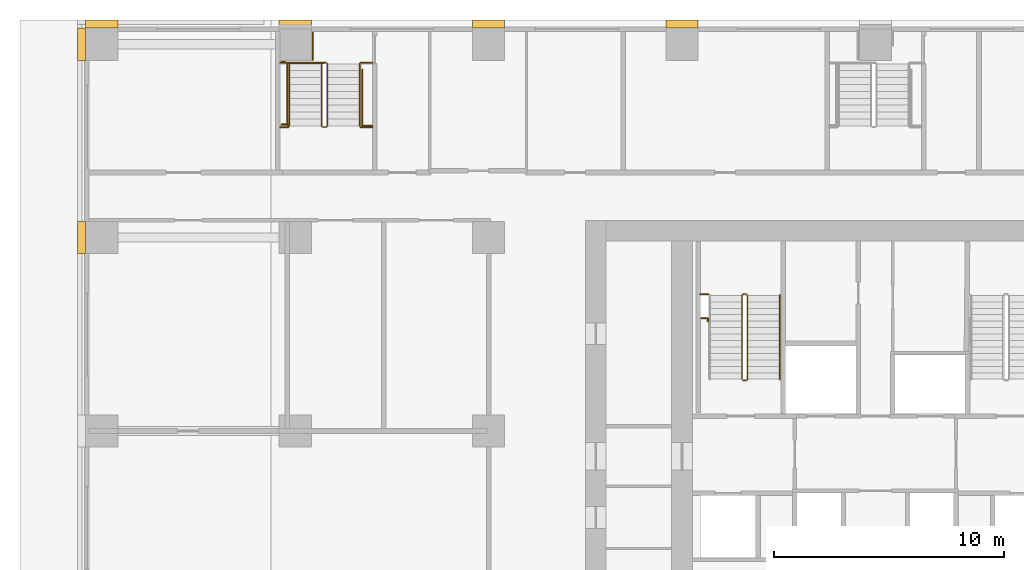
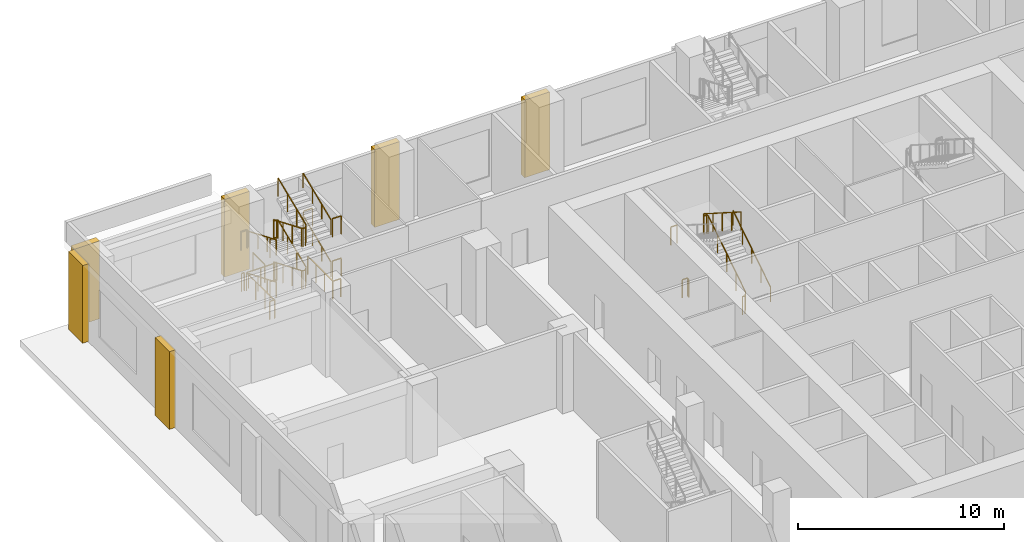
# One storey, part 24 of 29: 19 railings, 6 coverings.
"""IFC4 building model written with IfcOpenShell, lengths in metres."""

from ifc_helpers import new_model, si_unit, direction, frame, origin, origin_2d, place, context, subcontext, project, spatial, polyline, rectangle, outline, extrude, material, type_object, element, save


model = new_model("IFC4")

# Units and contexts
model_context = context("Model", 3, precision=1e-05, world=origin(), true_north=direction((0.0, 1.0)))
body_context = subcontext(model_context, "Body", "Model", "MODEL_VIEW")
ifc_project = project(units=[si_unit("LENGTHUNIT", "METRE"), si_unit("AREAUNIT", "SQUARE_METRE"), si_unit("VOLUMEUNIT", "CUBIC_METRE"), si_unit("PLANEANGLEUNIT", "RADIAN"), si_unit("MASSUNIT", "GRAM", prefix="KILO")], contexts=[model_context])

# Site, building, storey
site_placement = place(None, origin())
site = spatial("IfcSite", under=ifc_project, at=site_placement, CompositionType="ELEMENT")
building_placement = place(site_placement, origin())
building = spatial("IfcBuilding", under=site, at=building_placement, Name="Vermilion Ogive Tower", CompositionType="ELEMENT")
storey_placement = place(building_placement, frame((0.0, 0.0, 7.5)))
storey = spatial("IfcBuildingStorey", under=building, at=storey_placement, Name="L01", CompositionType="ELEMENT", Elevation=7.5)

# Railings
ifc_material_1 = material(Name="Steel S355 painted", Category="steel")
railing_type_1 = type_object("IfcRailingType", Name="Stair guard 1100", PredefinedType="GUARDRAIL", material=ifc_material_1)
railing_1_placement = place(storey_placement, frame((-5.75, 14.800048828125, 0.0)))
element("IfcRailing", 1, at=railing_1_placement, inside=storey, type_object=railing_type_1, Name="L01 ST1 stair guard 4", PredefinedType="GUARDRAIL", context=body_context, shape_type="SweptSolid", body=[
    extrude(rectangle(XDim=0.048095703125, YDim=0.048095703125, at=origin_2d()), frame((0.0, 0.0, 1.076171875), z_axis=(1.0, 0.0, 0.0), x_axis=(0.0, 1.0, 0.0)), (0.0, 0.0, 1.0), 0.14990234375),
    extrude(rectangle(XDim=0.048095703125, YDim=0.048095703125, at=origin_2d()), frame((0.14990234375, 0.0, 1.076171875), z_axis=(0.260684529273, 0.260684529273, 0.929562882432), x_axis=(-0.707106781187, 0.707106781187, 0.0)), (0.0, 0.0, 1.0), 0.19189453125),
    extrude(rectangle(XDim=0.048095703125, YDim=0.048095703125, at=origin_2d()), frame((0.199951171875, 0.050048828125, 1.25439453125), z_axis=(0.0, 0.843111507901, 0.53773877045), x_axis=(-1.0, 0.0, 0.0)), (0.0, 0.0, 1.0), 4.317138671875),
    extrude(rectangle(XDim=0.048095703125, YDim=0.048095703125, at=origin_2d()), frame((0.199951171875, 3.68994140625, 3.576171875), z_axis=(-0.707106781187, 0.707106781187, 0.0), x_axis=(-0.707106781187, -0.707106781187, 0.0)), (0.0, 0.0, 1.0), 0.07080078125),
    extrude(rectangle(XDim=0.048095703125, YDim=0.048095703125, at=origin_2d()), frame((0.14990234375, 3.739990234375, 3.576171875), z_axis=(-1.0, 0.0, 0.0), x_axis=(0.0, -1.0, 0.0)), (0.0, 0.0, 1.0), 0.14990234375),
    extrude(rectangle(XDim=0.048095703125, YDim=0.048095703125, at=origin_2d()), frame((0.0, 3.739990234375, 3.576171875), z_axis=(-0.260684529273, -0.260684529273, 0.929562882432), x_axis=(0.707106781187, -0.707106781187, 0.0)), (0.0, 0.0, 1.0), 0.19189453125),
    extrude(rectangle(XDim=0.048095703125, YDim=0.048095703125, at=origin_2d()), frame((-0.050048828125, 3.68994140625, 3.75439453125), z_axis=(0.0, -0.843111507901, 0.53773877045), x_axis=(1.0, 0.0, 0.0)), (0.0, 0.0, 1.0), 4.317138671875),
    extrude(rectangle(XDim=0.0419921875, YDim=0.0419921875, at=origin_2d()), origin(), (0.0, 0.0, 1.0), 1.052001953125),
    extrude(rectangle(XDim=0.0419921875, YDim=0.0419921875, at=origin_2d()), frame((0.14990234375, 0.0, 0.0)), (0.0, 0.0, 1.0), 1.052001953125),
    extrude(rectangle(XDim=0.0419921875, YDim=0.0419921875, at=origin_2d()), frame((0.199951171875, 0.050048828125, 0.178466796875)), (0.0, 0.0, 1.0), 1.052001953125),
    extrude(rectangle(XDim=0.0419921875, YDim=0.0419921875, at=origin_2d()), frame((0.199951171875, 0.9599609375, 0.7587890625)), (0.0, 0.0, 1.0), 1.052001953125),
    extrude(rectangle(XDim=0.0419921875, YDim=0.0419921875, at=origin_2d()), frame((0.199951171875, 1.8701171875, 1.33935546875)), (0.0, 0.0, 1.0), 1.052001953125),
    extrude(rectangle(XDim=0.0419921875, YDim=0.0419921875, at=origin_2d()), frame((0.199951171875, 2.780029296875, 1.919677734375)), (0.0, 0.0, 1.0), 1.052001953125),
    extrude(rectangle(XDim=0.0419921875, YDim=0.0419921875, at=origin_2d()), frame((0.199951171875, 3.68994140625, 2.5)), (0.0, 0.0, 1.0), 1.052001953125),
    extrude(rectangle(XDim=0.0419921875, YDim=0.0419921875, at=origin_2d()), frame((0.14990234375, 3.739990234375, 2.5)), (0.0, 0.0, 1.0), 1.052001953125),
    extrude(rectangle(XDim=0.0419921875, YDim=0.0419921875, at=origin_2d()), frame((0.0, 3.739990234375, 2.5)), (0.0, 0.0, 1.0), 1.052001953125),
    extrude(rectangle(XDim=0.0419921875, YDim=0.0419921875, at=origin_2d()), frame((-0.050048828125, 3.68994140625, 2.678466796875)), (0.0, 0.0, 1.0), 1.052001953125),
    extrude(rectangle(XDim=0.0419921875, YDim=0.0419921875, at=origin_2d()), frame((-0.050048828125, 2.780029296875, 3.2587890625)), (0.0, 0.0, 1.0), 1.052001953125),
    extrude(rectangle(XDim=0.0419921875, YDim=0.0419921875, at=origin_2d()), frame((-0.050048828125, 1.8701171875, 3.83935546875)), (0.0, 0.0, 1.0), 1.052001953125),
    extrude(rectangle(XDim=0.0419921875, YDim=0.0419921875, at=origin_2d()), frame((-0.050048828125, 0.9599609375, 4.419677734375)), (0.0, 0.0, 1.0), 1.052001953125),
    extrude(rectangle(XDim=0.0419921875, YDim=0.0419921875, at=origin_2d()), frame((-0.050048828125, 0.050048828125, 5.0)), (0.0, 0.0, 1.0), 1.052001953125),
])
railing_2_placement = place(storey_placement, frame((-23.85009765625, 28.60009765625, 0.0)))
element("IfcRailing", 2, at=railing_2_placement, inside=storey, type_object=railing_type_1, Name="L01 PS1 stair guard 8", PredefinedType="GUARDRAIL", context=body_context, shape_type="SweptSolid", body=[
    extrude(rectangle(XDim=0.048095703125, YDim=0.048095703125, at=origin_2d()), frame((0.0, 0.0, 1.076171875), z_axis=(-1.0, 0.0, 0.0), x_axis=(0.0, -1.0, 0.0)), (0.0, 0.0, 1.0), 0.14990234375),
    extrude(rectangle(XDim=0.048095703125, YDim=0.048095703125, at=origin_2d()), frame((-0.14990234375, 0.0, 1.076171875), z_axis=(-0.34841279274, -0.34841279274, 0.870182194549), x_axis=(0.707106781187, -0.707106781187, 0.0)), (0.0, 0.0, 1.0), 0.1435546875),
    extrude(rectangle(XDim=0.048095703125, YDim=0.048095703125, at=origin_2d()), frame((-0.199951171875, -0.050048828125, 1.201171875), z_axis=(0.0, -0.923074453586, 0.384621311341), x_axis=(1.0, 0.0, 0.0)), (0.0, 0.0, 1.0), 2.925048828125),
    extrude(rectangle(XDim=0.048095703125, YDim=0.048095703125, at=origin_2d()), frame((-0.199951171875, -2.75, 2.326171875), z_axis=(0.707106781187, -0.707106781187, 0.0), x_axis=(0.707106781187, 0.707106781187, 0.0)), (0.0, 0.0, 1.0), 0.07080078125),
    extrude(rectangle(XDim=0.048095703125, YDim=0.048095703125, at=origin_2d()), frame((-0.14990234375, -2.800048828125, 2.326171875), z_axis=(1.0, 0.0, 0.0), x_axis=(0.0, 1.0, 0.0)), (0.0, 0.0, 1.0), 0.14990234375),
    extrude(rectangle(XDim=0.048095703125, YDim=0.048095703125, at=origin_2d()), frame((0.0, -2.800048828125, 2.326171875), z_axis=(0.34841279274, 0.34841279274, 0.870182194549), x_axis=(-0.707106781187, 0.707106781187, 0.0)), (0.0, 0.0, 1.0), 0.1435546875),
    extrude(rectangle(XDim=0.048095703125, YDim=0.048095703125, at=origin_2d()), frame((0.050048828125, -2.75, 2.451171875), z_axis=(0.0, 0.923074453586, 0.384621311341), x_axis=(-1.0, 0.0, 0.0)), (0.0, 0.0, 1.0), 2.925048828125),
    extrude(rectangle(XDim=0.048095703125, YDim=0.048095703125, at=origin_2d()), frame((0.050048828125, -0.050048828125, 3.576171875), z_axis=(-0.707106781187, 0.707106781187, 0.0), x_axis=(-0.707106781187, -0.707106781187, 0.0)), (0.0, 0.0, 1.0), 0.07080078125),
    extrude(rectangle(XDim=0.048095703125, YDim=0.048095703125, at=origin_2d()), frame((0.0, 0.0, 3.576171875), z_axis=(-1.0, 0.0, 0.0), x_axis=(0.0, -1.0, 0.0)), (0.0, 0.0, 1.0), 0.14990234375),
    extrude(rectangle(XDim=0.048095703125, YDim=0.048095703125, at=origin_2d()), frame((-0.14990234375, 0.0, 3.576171875), z_axis=(-0.34841279274, -0.34841279274, 0.870182194549), x_axis=(0.707106781187, -0.707106781187, 0.0)), (0.0, 0.0, 1.0), 0.1435546875),
    extrude(rectangle(XDim=0.048095703125, YDim=0.048095703125, at=origin_2d()), frame((-0.199951171875, -0.050048828125, 3.701171875), z_axis=(0.0, -0.923074453586, 0.384621311341), x_axis=(1.0, 0.0, 0.0)), (0.0, 0.0, 1.0), 2.925048828125),
    extrude(rectangle(XDim=0.048095703125, YDim=0.048095703125, at=origin_2d()), frame((-0.199951171875, -2.75, 4.826171875), z_axis=(0.707106781187, -0.707106781187, 0.0), x_axis=(0.707106781187, 0.707106781187, 0.0)), (0.0, 0.0, 1.0), 0.07080078125),
    extrude(rectangle(XDim=0.048095703125, YDim=0.048095703125, at=origin_2d()), frame((-0.14990234375, -2.800048828125, 4.826171875), z_axis=(1.0, 0.0, 0.0), x_axis=(0.0, 1.0, 0.0)), (0.0, 0.0, 1.0), 0.14990234375),
    extrude(rectangle(XDim=0.048095703125, YDim=0.048095703125, at=origin_2d()), frame((0.0, -2.800048828125, 4.826171875), z_axis=(0.34841279274, 0.34841279274, 0.870182194549), x_axis=(-0.707106781187, 0.707106781187, 0.0)), (0.0, 0.0, 1.0), 0.1435546875),
    extrude(rectangle(XDim=0.048095703125, YDim=0.048095703125, at=origin_2d()), frame((0.050048828125, -2.75, 4.951171875), z_axis=(0.0, 0.923074453586, 0.384621311341), x_axis=(-1.0, 0.0, 0.0)), (0.0, 0.0, 1.0), 2.925048828125),
    extrude(rectangle(XDim=0.0419921875, YDim=0.0419921875, at=origin_2d()), origin(), (0.0, 0.0, 1.0), 1.052001953125),
    extrude(rectangle(XDim=0.0419921875, YDim=0.0419921875, at=origin_2d()), frame((-0.14990234375, 0.0, 0.0)), (0.0, 0.0, 1.0), 1.052001953125),
    extrude(rectangle(XDim=0.0419921875, YDim=0.0419921875, at=origin_2d()), frame((-0.199951171875, -0.050048828125, 0.125)), (0.0, 0.0, 1.0), 1.052001953125),
    extrude(rectangle(XDim=0.0419921875, YDim=0.0419921875, at=origin_2d()), frame((-0.199951171875, -0.949951171875, 0.5)), (0.0, 0.0, 1.0), 1.052001953125),
    extrude(rectangle(XDim=0.0419921875, YDim=0.0419921875, at=origin_2d()), frame((-0.199951171875, -1.85009765625, 0.875)), (0.0, 0.0, 1.0), 1.052001953125),
    extrude(rectangle(XDim=0.0419921875, YDim=0.0419921875, at=origin_2d()), frame((-0.199951171875, -2.75, 1.25)), (0.0, 0.0, 1.0), 1.052001953125),
    extrude(rectangle(XDim=0.0419921875, YDim=0.0419921875, at=origin_2d()), frame((-0.14990234375, -2.800048828125, 1.25)), (0.0, 0.0, 1.0), 1.052001953125),
    extrude(rectangle(XDim=0.0419921875, YDim=0.0419921875, at=origin_2d()), frame((0.0, -2.800048828125, 1.25)), (0.0, 0.0, 1.0), 1.052001953125),
    extrude(rectangle(XDim=0.0419921875, YDim=0.0419921875, at=origin_2d()), frame((0.050048828125, -2.75, 1.375)), (0.0, 0.0, 1.0), 1.052001953125),
    extrude(rectangle(XDim=0.0419921875, YDim=0.0419921875, at=origin_2d()), frame((0.050048828125, -1.85009765625, 1.75)), (0.0, 0.0, 1.0), 1.052001953125),
    extrude(rectangle(XDim=0.0419921875, YDim=0.0419921875, at=origin_2d()), frame((0.050048828125, -0.949951171875, 2.125)), (0.0, 0.0, 1.0), 1.052001953125),
    extrude(rectangle(XDim=0.0419921875, YDim=0.0419921875, at=origin_2d()), frame((0.050048828125, -0.050048828125, 2.5)), (0.0, 0.0, 1.0), 1.052001953125),
    extrude(rectangle(XDim=0.0419921875, YDim=0.0419921875, at=origin_2d()), frame((0.0, 0.0, 2.5)), (0.0, 0.0, 1.0), 1.052001953125),
    extrude(rectangle(XDim=0.0419921875, YDim=0.0419921875, at=origin_2d()), frame((-0.14990234375, 0.0, 2.5)), (0.0, 0.0, 1.0), 1.052001953125),
    extrude(rectangle(XDim=0.0419921875, YDim=0.0419921875, at=origin_2d()), frame((-0.199951171875, -0.050048828125, 2.625)), (0.0, 0.0, 1.0), 1.052001953125),
    extrude(rectangle(XDim=0.0419921875, YDim=0.0419921875, at=origin_2d()), frame((-0.199951171875, -0.949951171875, 3.0)), (0.0, 0.0, 1.0), 1.052001953125),
    extrude(rectangle(XDim=0.0419921875, YDim=0.0419921875, at=origin_2d()), frame((-0.199951171875, -1.85009765625, 3.375)), (0.0, 0.0, 1.0), 1.052001953125),
    extrude(rectangle(XDim=0.0419921875, YDim=0.0419921875, at=origin_2d()), frame((-0.199951171875, -2.75, 3.75)), (0.0, 0.0, 1.0), 1.052001953125),
    extrude(rectangle(XDim=0.0419921875, YDim=0.0419921875, at=origin_2d()), frame((-0.14990234375, -2.800048828125, 3.75)), (0.0, 0.0, 1.0), 1.052001953125),
    extrude(rectangle(XDim=0.0419921875, YDim=0.0419921875, at=origin_2d()), frame((0.0, -2.800048828125, 3.75)), (0.0, 0.0, 1.0), 1.052001953125),
    extrude(rectangle(XDim=0.0419921875, YDim=0.0419921875, at=origin_2d()), frame((0.050048828125, -2.75, 3.875)), (0.0, 0.0, 1.0), 1.052001953125),
    extrude(rectangle(XDim=0.0419921875, YDim=0.0419921875, at=origin_2d()), frame((0.050048828125, -1.85009765625, 4.25)), (0.0, 0.0, 1.0), 1.052001953125),
    extrude(rectangle(XDim=0.0419921875, YDim=0.0419921875, at=origin_2d()), frame((0.050048828125, -0.949951171875, 4.625)), (0.0, 0.0, 1.0), 1.052001953125),
    extrude(rectangle(XDim=0.0419921875, YDim=0.0419921875, at=origin_2d()), frame((0.050048828125, -0.050048828125, 5.0)), (0.0, 0.0, 1.0), 1.052001953125),
])
railing_3_placement = place(storey_placement, frame((-7.60009765625, 18.5400390625, 2.5)))
element("IfcRailing", 3, at=railing_3_placement, inside=storey, type_object=railing_type_1, Name="L01 landing guard", PredefinedType="GUARDRAIL", context=body_context, shape_type="SweptSolid", body=[
    extrude(rectangle(XDim=0.048095703125, YDim=0.048095703125, at=origin_2d()), frame((0.0, 0.0, 1.076171875), z_axis=(1.0, 0.0, 0.0), x_axis=(0.0, 1.0, 0.0)), (0.0, 0.0, 1.0), 0.35009765625),
    extrude(rectangle(XDim=0.0419921875, YDim=0.0419921875, at=origin_2d()), origin(), (0.0, 0.0, 1.0), 1.052001953125),
    extrude(rectangle(XDim=0.0419921875, YDim=0.0419921875, at=origin_2d()), frame((0.35009765625, 0.0, 0.0)), (0.0, 0.0, 1.0), 1.052001953125),
])
railing_4_placement = place(storey_placement, frame((-25.849853515625, 25.800048828125, 1.25)))
element("IfcRailing", 4, at=railing_4_placement, inside=storey, type_object=railing_type_1, Name="L01 landing guard", PredefinedType="GUARDRAIL", context=body_context, shape_type="SweptSolid", body=[
    extrude(rectangle(XDim=0.048095703125, YDim=0.048095703125, at=origin_2d()), frame((0.0, 0.0, 1.076171875), z_axis=(1.0, 0.0, 0.0), x_axis=(0.0, 1.0, 0.0)), (0.0, 0.0, 1.0), 0.349853515625),
    extrude(rectangle(XDim=0.0419921875, YDim=0.0419921875, at=origin_2d()), origin(), (0.0, 0.0, 1.0), 1.052001953125),
    extrude(rectangle(XDim=0.0419921875, YDim=0.0419921875, at=origin_2d()), frame((0.349853515625, 0.0, 0.0)), (0.0, 0.0, 1.0), 1.052001953125),
])
railing_5_placement = place(storey_placement, frame((-22.35009765625, 25.800048828125, 1.25)))
element("IfcRailing", 5, at=railing_5_placement, inside=storey, type_object=railing_type_1, Name="L01 landing guard", PredefinedType="GUARDRAIL", context=body_context, shape_type="SweptSolid", body=[
    extrude(rectangle(XDim=0.048095703125, YDim=0.048095703125, at=origin_2d()), frame((0.0, 0.0, 1.076171875), z_axis=(1.0, 0.0, 0.0), x_axis=(0.0, 1.0, 0.0)), (0.0, 0.0, 1.0), 0.5),
    extrude(rectangle(XDim=0.0419921875, YDim=0.0419921875, at=origin_2d()), origin(), (0.0, 0.0, 1.0), 1.052001953125),
    extrude(rectangle(XDim=0.0419921875, YDim=0.0419921875, at=origin_2d()), frame((0.5, 0.0, 0.0)), (0.0, 0.0, 1.0), 1.052001953125),
])
railing_6_placement = place(storey_placement, frame((-25.849853515625, 28.60009765625, 2.5)))
element("IfcRailing", 6, at=railing_6_placement, inside=storey, type_object=railing_type_1, Name="L01 landing guard", PredefinedType="GUARDRAIL", context=body_context, shape_type="SweptSolid", body=[
    extrude(rectangle(XDim=0.048095703125, YDim=0.048095703125, at=origin_2d()), frame((0.0, 0.0, 1.076171875), z_axis=(1.0, 0.0, 0.0), x_axis=(0.0, 1.0, 0.0)), (0.0, 0.0, 1.0), 0.349853515625),
    extrude(rectangle(XDim=0.0419921875, YDim=0.0419921875, at=origin_2d()), origin(), (0.0, 0.0, 1.0), 1.052001953125),
    extrude(rectangle(XDim=0.0419921875, YDim=0.0419921875, at=origin_2d()), frame((0.349853515625, 0.0, 0.0)), (0.0, 0.0, 1.0), 1.052001953125),
])
railing_7_placement = place(storey_placement, frame((-22.35009765625, 28.60009765625, 2.5)))
element("IfcRailing", 7, at=railing_7_placement, inside=storey, type_object=railing_type_1, Name="L01 landing guard", PredefinedType="GUARDRAIL", context=body_context, shape_type="SweptSolid", body=[
    extrude(rectangle(XDim=0.048095703125, YDim=0.048095703125, at=origin_2d()), frame((0.0, 0.0, 1.076171875), z_axis=(1.0, 0.0, 0.0), x_axis=(0.0, 1.0, 0.0)), (0.0, 0.0, 1.0), 0.5),
    extrude(rectangle(XDim=0.0419921875, YDim=0.0419921875, at=origin_2d()), origin(), (0.0, 0.0, 1.0), 1.052001953125),
    extrude(rectangle(XDim=0.0419921875, YDim=0.0419921875, at=origin_2d()), frame((0.5, 0.0, 0.0)), (0.0, 0.0, 1.0), 1.052001953125),
])
railing_8_placement = place(storey_placement, frame((-25.849853515625, 25.800048828125, 3.75)))
element("IfcRailing", 8, at=railing_8_placement, inside=storey, type_object=railing_type_1, Name="L01 landing guard", PredefinedType="GUARDRAIL", context=body_context, shape_type="SweptSolid", body=[
    extrude(rectangle(XDim=0.048095703125, YDim=0.048095703125, at=origin_2d()), frame((0.0, 0.0, 1.076171875), z_axis=(1.0, 0.0, 0.0), x_axis=(0.0, 1.0, 0.0)), (0.0, 0.0, 1.0), 0.349853515625),
    extrude(rectangle(XDim=0.0419921875, YDim=0.0419921875, at=origin_2d()), origin(), (0.0, 0.0, 1.0), 1.052001953125),
    extrude(rectangle(XDim=0.0419921875, YDim=0.0419921875, at=origin_2d()), frame((0.349853515625, 0.0, 0.0)), (0.0, 0.0, 1.0), 1.052001953125),
])
railing_9_placement = place(storey_placement, frame((-22.35009765625, 25.800048828125, 3.75)))
element("IfcRailing", 9, at=railing_9_placement, inside=storey, type_object=railing_type_1, Name="L01 landing guard", PredefinedType="GUARDRAIL", context=body_context, shape_type="SweptSolid", body=[
    extrude(rectangle(XDim=0.048095703125, YDim=0.048095703125, at=origin_2d()), frame((0.0, 0.0, 1.076171875), z_axis=(1.0, 0.0, 0.0), x_axis=(0.0, 1.0, 0.0)), (0.0, 0.0, 1.0), 0.5),
    extrude(rectangle(XDim=0.0419921875, YDim=0.0419921875, at=origin_2d()), origin(), (0.0, 0.0, 1.0), 1.052001953125),
    extrude(rectangle(XDim=0.0419921875, YDim=0.0419921875, at=origin_2d()), frame((0.5, 0.0, 0.0)), (0.0, 0.0, 1.0), 1.052001953125),
])
railing_10_placement = place(storey_placement, frame((-22.291015625, 28.284912109375, 0.0)))
element("IfcRailing", 10, at=railing_10_placement, inside=storey, type_object=railing_type_1, Name="L01 stair opening guard", PredefinedType="GUARDRAIL", context=body_context, shape_type="SweptSolid", body=[
    extrude(rectangle(XDim=0.048095703125, YDim=0.048095703125, at=origin_2d()), frame((0.0, 0.0, 1.076171875), z_axis=(0.0, -1.0, 0.0), x_axis=(1.0, 0.0, 0.0)), (0.0, 0.0, 1.0), 2.42431640625),
    extrude(rectangle(XDim=0.048095703125, YDim=0.048095703125, at=origin_2d()), frame((0.0, -2.42431640625, 1.076171875), z_axis=(1.0, 0.0, 0.0), x_axis=(0.0, 1.0, 0.0)), (0.0, 0.0, 1.0), 0.43994140625),
    extrude(rectangle(XDim=0.0419921875, YDim=0.0419921875, at=origin_2d()), origin(), (0.0, 0.0, 1.0), 1.052001953125),
    extrude(rectangle(XDim=0.0419921875, YDim=0.0419921875, at=origin_2d()), frame((0.0, -0.80810546875, 0.0)), (0.0, 0.0, 1.0), 1.052001953125),
    extrude(rectangle(XDim=0.0419921875, YDim=0.0419921875, at=origin_2d()), frame((0.0, -1.6162109375, 0.0)), (0.0, 0.0, 1.0), 1.052001953125),
    extrude(rectangle(XDim=0.0419921875, YDim=0.0419921875, at=origin_2d()), frame((0.0, -2.42431640625, 0.0)), (0.0, 0.0, 1.0), 1.052001953125),
    extrude(rectangle(XDim=0.0419921875, YDim=0.0419921875, at=origin_2d()), frame((0.43994140625, -2.42431640625, 0.0)), (0.0, 0.0, 1.0), 1.052001953125),
])
railing_11_placement = place(storey_placement, frame((-25.7900390625, 25.909912109375, 0.0)))
element("IfcRailing", 11, at=railing_11_placement, inside=storey, type_object=railing_type_1, Name="L01 stair opening guard", PredefinedType="GUARDRAIL", context=body_context, shape_type="SweptSolid", body=[
    extrude(rectangle(XDim=0.048095703125, YDim=0.048095703125, at=origin_2d()), frame((0.0, 0.0, 1.076171875), z_axis=(1.0, 0.0, 0.0), x_axis=(0.0, 1.0, 0.0)), (0.0, 0.0, 1.0), 0.2900390625),
    extrude(rectangle(XDim=0.048095703125, YDim=0.048095703125, at=origin_2d()), frame((0.2900390625, 0.0, 1.076171875), z_axis=(-0.869255406988, -0.494363264637, 0.0), x_axis=(0.494363264637, -0.869255406988, 0.0)), (0.0, 0.0, 1.0), 0.059326171875),
    extrude(rectangle(XDim=0.048095703125, YDim=0.048095703125, at=origin_2d()), frame((0.238525390625, -0.029296875, 1.076171875), z_axis=(0.0, 1.0, 0.0), x_axis=(-1.0, 0.0, 0.0)), (0.0, 0.0, 1.0), 2.699951171875),
    extrude(rectangle(XDim=0.048095703125, YDim=0.048095703125, at=origin_2d()), frame((0.238525390625, 2.670654296875, 1.076171875), z_axis=(1.0, 0.0, 0.0), x_axis=(0.0, 1.0, 0.0)), (0.0, 0.0, 1.0), 1.599853515625),
    extrude(rectangle(XDim=0.0419921875, YDim=0.0419921875, at=origin_2d()), origin(), (0.0, 0.0, 1.0), 1.052001953125),
    extrude(rectangle(XDim=0.0419921875, YDim=0.0419921875, at=origin_2d()), frame((0.2900390625, 0.0, 0.0)), (0.0, 0.0, 1.0), 1.052001953125),
    extrude(rectangle(XDim=0.0419921875, YDim=0.0419921875, at=origin_2d()), frame((0.238525390625, -0.029296875, 0.0)), (0.0, 0.0, 1.0), 1.052001953125),
    extrude(rectangle(XDim=0.0419921875, YDim=0.0419921875, at=origin_2d()), frame((0.238525390625, 0.87060546875, 0.0)), (0.0, 0.0, 1.0), 1.052001953125),
    extrude(rectangle(XDim=0.0419921875, YDim=0.0419921875, at=origin_2d()), frame((0.238525390625, 1.770751953125, 0.0)), (0.0, 0.0, 1.0), 1.052001953125),
    extrude(rectangle(XDim=0.0419921875, YDim=0.0419921875, at=origin_2d()), frame((0.238525390625, 2.670654296875, 0.0)), (0.0, 0.0, 1.0), 1.052001953125),
    extrude(rectangle(XDim=0.0419921875, YDim=0.0419921875, at=origin_2d()), frame((1.03857421875, 2.670654296875, 0.0)), (0.0, 0.0, 1.0), 1.052001953125),
    extrude(rectangle(XDim=0.0419921875, YDim=0.0419921875, at=origin_2d()), frame((1.83837890625, 2.670654296875, 0.0)), (0.0, 0.0, 1.0), 1.052001953125),
])
railing_12_placement = place(storey_placement, frame((-7.56298828125, 17.49462890625, 0.0)))
element("IfcRailing", 12, at=railing_12_placement, inside=storey, type_object=railing_type_1, Name="L01 stair opening guard", PredefinedType="GUARDRAIL", context=body_context, shape_type="SweptSolid", body=[
    extrude(rectangle(XDim=0.048095703125, YDim=0.048095703125, at=origin_2d()), frame((0.0, 0.0, 1.076171875), z_axis=(1.0, 0.0, 0.0), x_axis=(0.0, 1.0, 0.0)), (0.0, 0.0, 1.0), 0.2900390625),
    extrude(rectangle(XDim=0.048095703125, YDim=0.048095703125, at=origin_2d()), frame((0.2900390625, 0.0, 1.076171875), z_axis=(0.0, -1.0, 0.0), x_axis=(1.0, 0.0, 0.0)), (0.0, 0.0, 1.0), 0.1201171875),
    extrude(rectangle(XDim=0.0419921875, YDim=0.0419921875, at=origin_2d()), origin(), (0.0, 0.0, 1.0), 1.052001953125),
    extrude(rectangle(XDim=0.0419921875, YDim=0.0419921875, at=origin_2d()), frame((0.2900390625, 0.0, 0.0)), (0.0, 0.0, 1.0), 1.052001953125),
    extrude(rectangle(XDim=0.0419921875, YDim=0.0419921875, at=origin_2d()), frame((0.2900390625, -0.1201171875, 0.0)), (0.0, 0.0, 1.0), 1.052001953125),
])
railing_13_placement = place(storey_placement, frame((-25.7900390625, 28.639892578125, 0.0)))
element("IfcRailing", 13, at=railing_13_placement, inside=storey, type_object=railing_type_1, Name="L01 stair opening guard", PredefinedType="GUARDRAIL", context=body_context, shape_type="SweptSolid", body=[
    extrude(rectangle(XDim=0.048095703125, YDim=0.048095703125, at=origin_2d()), frame((0.0, 0.0, 1.076171875), z_axis=(1.0, 0.0, 0.0), x_axis=(0.0, 1.0, 0.0)), (0.0, 0.0, 1.0), 0.14794921875),
    extrude(rectangle(XDim=0.0419921875, YDim=0.0419921875, at=origin_2d()), origin(), (0.0, 0.0, 1.0), 1.052001953125),
    extrude(rectangle(XDim=0.0419921875, YDim=0.0419921875, at=origin_2d()), frame((0.14794921875, 0.0, 0.0)), (0.0, 0.0, 1.0), 1.052001953125),
])
railing_14_placement = place(storey_placement, frame((-24.43994140625, 28.730712890625, 0.0)))
element("IfcRailing", 14, at=railing_14_placement, inside=storey, type_object=railing_type_1, Name="L01 stair opening guard", PredefinedType="GUARDRAIL", context=body_context, shape_type="SweptSolid", body=[
    extrude(rectangle(XDim=0.048095703125, YDim=0.048095703125, at=origin_2d()), frame((0.0, 0.0, 1.076171875), z_axis=(0.0, 1.0, 0.0), x_axis=(-1.0, 0.0, 0.0)), (0.0, 0.0, 1.0), 1.1591796875),
    extrude(rectangle(XDim=0.0419921875, YDim=0.0419921875, at=origin_2d()), origin(), (0.0, 0.0, 1.0), 1.052001953125),
    extrude(rectangle(XDim=0.0419921875, YDim=0.0419921875, at=origin_2d()), frame((0.0, 1.1591796875, 0.0)), (0.0, 0.0, 1.0), 1.052001953125),
])
ifc_material_2 = material(Name="Stainless steel", Category="steel")
railing_type_2 = type_object("IfcRailingType", Name="Stair handrail 900", PredefinedType="HANDRAIL", material=ifc_material_2)
railing_15_placement = place(storey_placement, frame((-4.14990234375, 14.85009765625, 0.178466796875)))
element("IfcRailing", 15, at=railing_15_placement, inside=storey, type_object=railing_type_2, Name="L01 ST1 stair handrail 1", PredefinedType="HANDRAIL", context=body_context, shape_type="SweptSolid", body=[
    extrude(rectangle(XDim=0.048095703125, YDim=0.048095703125, at=origin_2d()), frame((0.0, 0.0, 0.8759765625), z_axis=(0.0, 0.843111507901, 0.53773877045), x_axis=(-1.0, 0.0, 0.0)), (0.0, 0.0, 1.0), 4.317138671875),
    extrude(rectangle(XDim=0.0419921875, YDim=0.0419921875, at=origin_2d()), origin(), (0.0, 0.0, 1.0), 0.851806640625),
    extrude(rectangle(XDim=0.0419921875, YDim=0.0419921875, at=origin_2d()), frame((0.0, 0.909912109375, 0.580322265625)), (0.0, 0.0, 1.0), 0.851806640625),
    extrude(rectangle(XDim=0.0419921875, YDim=0.0419921875, at=origin_2d()), frame((0.0, 1.81982421875, 1.16064453125)), (0.0, 0.0, 1.0), 0.851806640625),
    extrude(rectangle(XDim=0.0419921875, YDim=0.0419921875, at=origin_2d()), frame((0.0, 2.72998046875, 1.7412109375)), (0.0, 0.0, 1.0), 0.851806640625),
    extrude(rectangle(XDim=0.0419921875, YDim=0.0419921875, at=origin_2d()), frame((0.0, 3.639892578125, 2.321533203125)), (0.0, 0.0, 1.0), 0.851806640625),
])
railing_16_placement = place(storey_placement, frame((-25.449951171875, 28.550048828125, 0.125)))
element("IfcRailing", 16, at=railing_16_placement, inside=storey, type_object=railing_type_2, Name="L01 PS1 stair handrail 1", PredefinedType="HANDRAIL", context=body_context, shape_type="SweptSolid", body=[
    extrude(rectangle(XDim=0.048095703125, YDim=0.048095703125, at=origin_2d()), frame((0.0, 0.0, 0.8759765625), z_axis=(0.0, -0.923074453586, 0.384621311341), x_axis=(1.0, 0.0, 0.0)), (0.0, 0.0, 1.0), 2.925048828125),
    extrude(rectangle(XDim=0.0419921875, YDim=0.0419921875, at=origin_2d()), origin(), (0.0, 0.0, 1.0), 0.851806640625),
    extrude(rectangle(XDim=0.0419921875, YDim=0.0419921875, at=origin_2d()), frame((0.0, -0.89990234375, 0.375)), (0.0, 0.0, 1.0), 0.851806640625),
    extrude(rectangle(XDim=0.0419921875, YDim=0.0419921875, at=origin_2d()), frame((0.0, -1.800048828125, 0.75)), (0.0, 0.0, 1.0), 0.851806640625),
    extrude(rectangle(XDim=0.0419921875, YDim=0.0419921875, at=origin_2d()), frame((0.0, -2.699951171875, 1.125)), (0.0, 0.0, 1.0), 0.851806640625),
])
railing_17_placement = place(storey_placement, frame((-22.39990234375, 25.85009765625, 1.375)))
element("IfcRailing", 17, at=railing_17_placement, inside=storey, type_object=railing_type_2, Name="L01 PS1 stair handrail 2", PredefinedType="HANDRAIL", context=body_context, shape_type="SweptSolid", body=[
    extrude(rectangle(XDim=0.048095703125, YDim=0.048095703125, at=origin_2d()), frame((0.0, 0.0, 0.8759765625), z_axis=(0.0, 0.923074453586, 0.384621311341), x_axis=(-1.0, 0.0, 0.0)), (0.0, 0.0, 1.0), 2.925048828125),
    extrude(rectangle(XDim=0.0419921875, YDim=0.0419921875, at=origin_2d()), origin(), (0.0, 0.0, 1.0), 0.851806640625),
    extrude(rectangle(XDim=0.0419921875, YDim=0.0419921875, at=origin_2d()), frame((0.0, 0.89990234375, 0.375)), (0.0, 0.0, 1.0), 0.851806640625),
    extrude(rectangle(XDim=0.0419921875, YDim=0.0419921875, at=origin_2d()), frame((0.0, 1.800048828125, 0.75)), (0.0, 0.0, 1.0), 0.851806640625),
    extrude(rectangle(XDim=0.0419921875, YDim=0.0419921875, at=origin_2d()), frame((0.0, 2.699951171875, 1.125)), (0.0, 0.0, 1.0), 0.851806640625),
])
railing_18_placement = place(storey_placement, frame((-25.449951171875, 28.550048828125, 2.625)))
element("IfcRailing", 18, at=railing_18_placement, inside=storey, type_object=railing_type_2, Name="L01 PS1 stair handrail 3", PredefinedType="HANDRAIL", context=body_context, shape_type="SweptSolid", body=[
    extrude(rectangle(XDim=0.048095703125, YDim=0.048095703125, at=origin_2d()), frame((0.0, 0.0, 0.8759765625), z_axis=(0.0, -0.923074453586, 0.384621311341), x_axis=(1.0, 0.0, 0.0)), (0.0, 0.0, 1.0), 2.925048828125),
    extrude(rectangle(XDim=0.0419921875, YDim=0.0419921875, at=origin_2d()), origin(), (0.0, 0.0, 1.0), 0.851806640625),
    extrude(rectangle(XDim=0.0419921875, YDim=0.0419921875, at=origin_2d()), frame((0.0, -0.89990234375, 0.375)), (0.0, 0.0, 1.0), 0.851806640625),
    extrude(rectangle(XDim=0.0419921875, YDim=0.0419921875, at=origin_2d()), frame((0.0, -1.800048828125, 0.75)), (0.0, 0.0, 1.0), 0.851806640625),
    extrude(rectangle(XDim=0.0419921875, YDim=0.0419921875, at=origin_2d()), frame((0.0, -2.699951171875, 1.125)), (0.0, 0.0, 1.0), 0.851806640625),
])
railing_19_placement = place(storey_placement, frame((-22.39990234375, 25.85009765625, 3.875)))
element("IfcRailing", 19, at=railing_19_placement, inside=storey, type_object=railing_type_2, Name="L01 PS1 stair handrail 4", PredefinedType="HANDRAIL", context=body_context, shape_type="SweptSolid", body=[
    extrude(rectangle(XDim=0.048095703125, YDim=0.048095703125, at=origin_2d()), frame((0.0, 0.0, 0.8759765625), z_axis=(0.0, 0.923074453586, 0.384621311341), x_axis=(-1.0, 0.0, 0.0)), (0.0, 0.0, 1.0), 2.925048828125),
    extrude(rectangle(XDim=0.0419921875, YDim=0.0419921875, at=origin_2d()), origin(), (0.0, 0.0, 1.0), 0.851806640625),
    extrude(rectangle(XDim=0.0419921875, YDim=0.0419921875, at=origin_2d()), frame((0.0, 0.89990234375, 0.375)), (0.0, 0.0, 1.0), 0.851806640625),
    extrude(rectangle(XDim=0.0419921875, YDim=0.0419921875, at=origin_2d()), frame((0.0, 1.800048828125, 0.75)), (0.0, 0.0, 1.0), 0.851806640625),
    extrude(rectangle(XDim=0.0419921875, YDim=0.0419921875, at=origin_2d()), frame((0.0, 2.699951171875, 1.125)), (0.0, 0.0, 1.0), 0.851806640625),
])

# Coverings
ifc_material_3 = material(Name="Stone cladding", Category="masonry")
covering_type = type_object("IfcCoveringType", Name="Stone pier", PredefinedType="CLADDING", material=ifc_material_3)
covering_1_placement = place(storey_placement, origin())
element("IfcCovering", 20, at=covering_1_placement, inside=storey, type_object=covering_type, Name="Stone pier P-084+294", PredefinedType="CLADDING", context=body_context, shape_type="SweptSolid", body=[
    extrude(outline(polyline([(-9.10009765625, 30.10009765625), (-9.10009765625, 30.10009765625), (-9.10009765625, 30.449951171875), (-7.699951171875, 30.449951171875), (-7.699951171875, 30.10009765625), (-7.699951171875, 30.10009765625), (-9.10009765625, 30.10009765625)])), origin(), (0.0, 0.0, 1.0), 4.60009765625),
])
covering_2_placement = place(storey_placement, origin())
element("IfcCovering", 21, at=covering_2_placement, inside=storey, type_object=covering_type, Name="Stone pier P-168+294", PredefinedType="CLADDING", context=body_context, shape_type="SweptSolid", body=[
    extrude(outline(polyline([(-17.5, 30.10009765625), (-17.5, 30.449951171875), (-16.10009765625, 30.449951171875), (-16.10009765625, 30.10009765625), (-17.5, 30.10009765625), (-17.5, 30.10009765625)])), origin(), (0.0, 0.0, 1.0), 4.60009765625),
])
covering_3_placement = place(storey_placement, origin())
element("IfcCovering", 22, at=covering_3_placement, inside=storey, type_object=covering_type, Name="Stone pier P-252+294", PredefinedType="CLADDING", context=body_context, shape_type="SweptSolid", body=[
    extrude(outline(polyline([(-25.89990234375, 30.10009765625), (-25.89990234375, 30.449951171875), (-24.5, 30.449951171875), (-24.5, 30.10009765625), (-24.5, 30.10009765625), (-25.89990234375, 30.10009765625)])), origin(), (0.0, 0.0, 1.0), 4.60009765625),
])
covering_4_placement = place(storey_placement, origin())
element("IfcCovering", 23, at=covering_4_placement, inside=storey, type_object=covering_type, Name="Stone pier P-336+210", PredefinedType="CLADDING", context=body_context, shape_type="SweptSolid", body=[
    extrude(outline(polyline([(-34.64990234375, 20.300048828125), (-34.64990234375, 21.699951171875), (-34.300048828125, 21.699951171875), (-34.300048828125, 20.300048828125), (-34.64990234375, 20.300048828125)])), origin(), (0.0, 0.0, 1.0), 4.60009765625),
])
covering_5_placement = place(storey_placement, origin())
element("IfcCovering", 24, at=covering_5_placement, inside=storey, type_object=covering_type, Name="Stone pier P-336+294N", PredefinedType="CLADDING", context=body_context, shape_type="SweptSolid", body=[
    extrude(outline(polyline([(-34.300048828125, 30.449951171875), (-32.89990234375, 30.449951171875), (-32.89990234375, 30.10009765625), (-34.300048828125, 30.10009765625), (-34.300048828125, 30.449951171875)])), origin(), (0.0, 0.0, 1.0), 4.60009765625),
])
covering_6_placement = place(storey_placement, origin())
element("IfcCovering", 25, at=covering_6_placement, inside=storey, type_object=covering_type, Name="Stone pier P-336+294W", PredefinedType="CLADDING", context=body_context, shape_type="SweptSolid", body=[
    extrude(outline(polyline([(-34.64990234375, 30.10009765625), (-34.300048828125, 30.10009765625), (-34.300048828125, 28.699951171875), (-34.64990234375, 28.699951171875), (-34.64990234375, 30.10009765625)])), origin(), (0.0, 0.0, 1.0), 4.60009765625),
])

save(model, "model.ifc")
